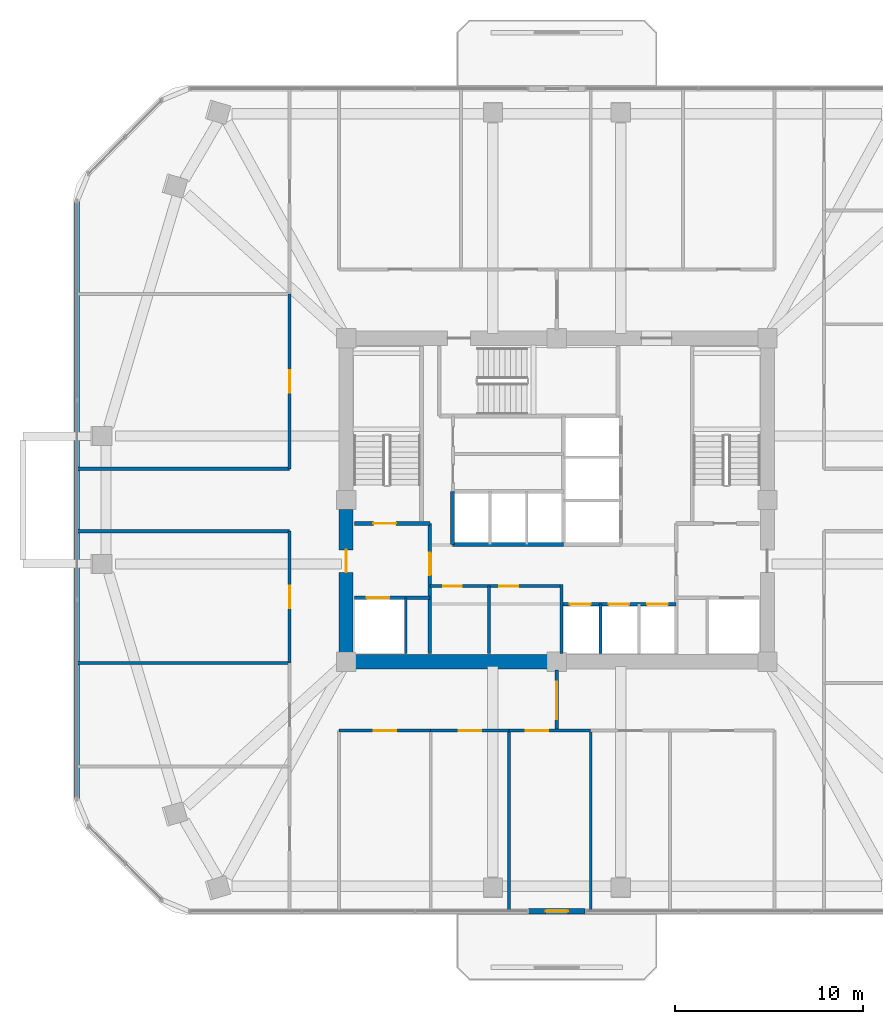
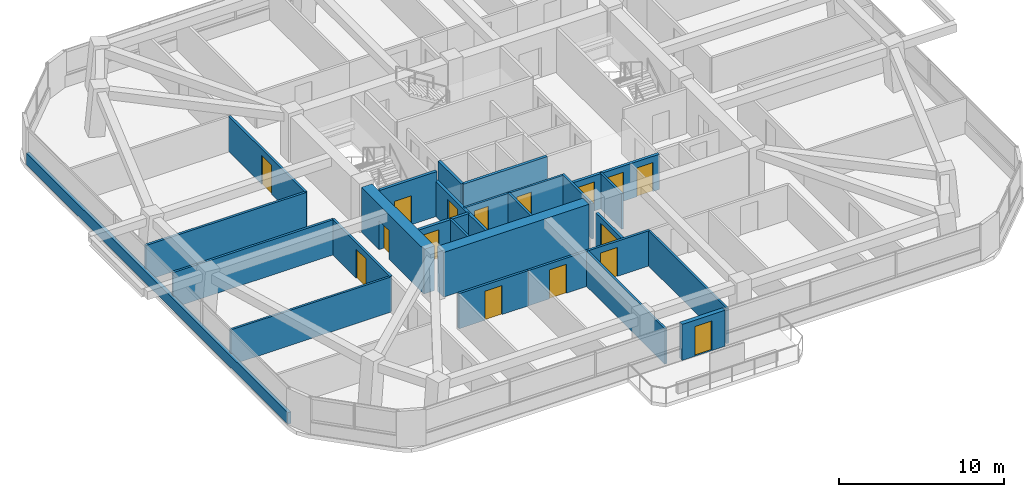
# One storey, part 8 of 13: 26 walls, 16 doors, 16 openings.
"""IFC4 building model written with IfcOpenShell, lengths in metres."""

from ifc_helpers import new_model, si_unit, derived_unit, direction, frame, frame_2d, origin, place, context, subcontext, project, spatial, rectangle, extrude, material, layer, layer_set, type_object, element, fill, save


model = new_model("IFC4")

# Units and contexts
model_context = context("Model", 3, precision=1e-05, world=origin(), true_north=direction((0.0, 1.0)))
body_context = subcontext(model_context, "Body", "Model", "MODEL_VIEW")
ifc_project = project(units=[si_unit("LENGTHUNIT", "METRE"), si_unit("AREAUNIT", "SQUARE_METRE"), si_unit("VOLUMEUNIT", "CUBIC_METRE"), si_unit("PLANEANGLEUNIT", "RADIAN"), si_unit("MASSUNIT", "GRAM", prefix="KILO"), derived_unit("THERMALTRANSMITTANCEUNIT", [(si_unit("POWERUNIT", "WATT"), 1), (si_unit("LENGTHUNIT", "METRE"), -2), (si_unit("THERMODYNAMICTEMPERATUREUNIT", "KELVIN"), -1)])], contexts=[model_context])

# Site, building, storey
site_placement = place(None, origin())
site = spatial("IfcSite", under=ifc_project, at=site_placement, CompositionType="ELEMENT")
building_placement = place(site_placement, origin())
building = spatial("IfcBuilding", under=site, at=building_placement, Name="Koralith Skygarden Medical Center", CompositionType="ELEMENT")
storey_placement = place(building_placement, frame((0.0, 0.0, 102.780029296875)))
storey = spatial("IfcBuildingStorey", under=building, at=storey_placement, Name="L26", CompositionType="ELEMENT", Elevation=102.780029296875)

# Wall, openings, doors
ifc_material_1 = material(Name="Gypsum Board Partition")
ifc_layer_1 = layer(ifc_material_1, 0.14990234375)
ifc_layer_set_1 = layer_set([ifc_layer_1], Name="Gypsum Board Partition")
wall_type_1 = type_object("IfcWallType", Name="Clinical Acoustic Partition 150", PredefinedType="PARTITIONING", material=ifc_layer_set_1)
wall_1_placement = place(storey_placement, frame((30.25, 21.320068359375, 0.0), z_axis=(0.0, 0.0, 1.0), x_axis=(1.0, 0.0, 0.0)))
wall_1 = element("IfcWall", 1, at=wall_1_placement, inside=storey, type_object=wall_type_1, Name="L26 Clinical Acoustic Partition 150 W-CORE-L26-FREED-LR-N", PredefinedType="PARTITIONING", context=body_context, shape_type="SweptSolid", body=[
    extrude(rectangle(XDim=7.0, YDim=0.14990234375, at=frame_2d((3.5, 0.0))), origin(), (0.0, 0.0, 1.0), 2.60986328125),
])
opening_1_placement = place(wall_1_placement, frame((0.699951171875, 0.0, 0.0)))
opening_1 = element("IfcOpeningElement", 2, at=opening_1_placement, cuts=wall_1, Name="Opening D-SUP", PredefinedType="OPENING", context=body_context, shape_type="SweptSolid", body=[
    extrude(rectangle(XDim=1.0, YDim=2.14990234375, at=frame_2d((0.5, 1.074951171875))), frame((0.0, 0.0849609375, 0.0), z_axis=(0.0, -1.0, 0.0), x_axis=(1.0, 0.0, 0.0)), (0.0, 0.0, 1.0), 0.169921875),
])
opening_2_placement = place(wall_1_placement, frame((3.699951171875, 0.0, 0.0)))
opening_2 = element("IfcOpeningElement", 3, at=opening_2_placement, cuts=wall_1, Name="Opening D-SUP", PredefinedType="OPENING", context=body_context, shape_type="SweptSolid", body=[
    extrude(rectangle(XDim=1.0, YDim=2.14990234375, at=frame_2d((0.5, 1.074951171875))), frame((0.0, 0.0849609375, 0.0), z_axis=(0.0, -1.0, 0.0), x_axis=(1.0, 0.0, 0.0)), (0.0, 0.0, 1.0), 0.169921875),
])
ifc_material_2 = material(Name="Aluminium 6063-T6", Category="aluminium")
door_type_1 = type_object("IfcDoorType", Name="Clinical Support Door D-SUP 1000", OperationType="NOTDEFINED", PredefinedType="DOOR", material=ifc_material_2)
door_1_placement = place(opening_1_placement, frame((1.0, 0.0, 0.0), z_axis=(0.0, 0.0, 1.0), x_axis=(-1.0, 0.0, 0.0)))
door_1 = element("IfcDoor", 4, at=door_1_placement, inside=storey, type_object=door_type_1, Name="L26 Medication Preparation Door", OperationType="SINGLE_SWING_LEFT", OverallHeight=2.14990234375, OverallWidth=1.0, PredefinedType="DOOR", context=body_context, shape_type="SweptSolid", body=[
    extrude(rectangle(XDim=1.0, YDim=2.14990234375, at=frame_2d((0.5, 1.074951171875))), frame((0.0, 0.02490234375, 0.0), z_axis=(0.0, -1.0, 0.0), x_axis=(1.0, 0.0, 0.0)), (0.0, 0.0, 1.0), 0.050048828125),
])
fill(opening_1, door_1)
door_2_placement = place(opening_2_placement, frame((1.0, 0.0, 0.0), z_axis=(0.0, 0.0, 1.0), x_axis=(-1.0, 0.0, 0.0)))
door_2 = element("IfcDoor", 5, at=door_2_placement, inside=storey, type_object=door_type_1, Name="L26 Telemetry Room Door", OperationType="SINGLE_SWING_RIGHT", OverallHeight=2.14990234375, OverallWidth=1.0, PredefinedType="DOOR", context=body_context, shape_type="SweptSolid", body=[
    extrude(rectangle(XDim=1.0, YDim=2.14990234375, at=frame_2d((0.5, 1.074951171875))), frame((0.0, 0.02490234375, 0.0), z_axis=(0.0, -1.0, 0.0), x_axis=(1.0, 0.0, 0.0)), (0.0, 0.0, 1.0), 0.050048828125),
])
fill(opening_2, door_2)

# Walls
wall_2_placement = place(storey_placement, frame((33.39990234375, 17.75, 0.0), z_axis=(0.0, 0.0, 1.0), x_axis=(0.0, 1.0, 0.0)))
element("IfcWall", 6, at=wall_2_placement, inside=storey, type_object=wall_type_1, Name="L26 Clinical Acoustic Partition 150 W-CORE-L26-FREED-LR-M", PredefinedType="PARTITIONING", context=body_context, shape_type="SweptSolid", body=[
    extrude(rectangle(XDim=3.570068359375, YDim=0.14990234375, at=frame_2d((1.78515625, 0.0))), origin(), (0.0, 0.0, 1.0), 2.60986328125),
])
for number, where, z_axis, x_axis, name in (
    (7, (34.45703125, 13.639892578125, 0.0), (0.0, 0.0, 1.0), (0.0, -1.0, 0.0), "L26 Clinical Acoustic Partition 150 W-PART-L26-S-02"),
    (8, (38.800048828125, 13.639892578125, 0.0), (0.0, 0.0, 1.0), (0.0, -1.0, 0.0), "L26 Clinical Acoustic Partition 150 W-PART-L26-S-03"),
):
    element("IfcWall", number, at=place(storey_placement, frame(where, z_axis=z_axis, x_axis=x_axis)), inside=storey, type_object=wall_type_1, Name=name, PredefinedType="PARTITIONING", context=body_context, shape_type="SweptSolid", body=[
        extrude(rectangle(XDim=9.5859375, YDim=0.14990234375, at=frame_2d((4.79296875, 0.0))), origin(), (0.0, 0.0, 1.0), 2.60986328125),
    ])
wall_3_placement = place(storey_placement, frame((22.7900390625, 17.23193359375, 0.0), z_axis=(0.0, 0.0, 1.0), x_axis=(-1.0, 0.0, 0.0)))
element("IfcWall", 9, at=wall_3_placement, inside=storey, type_object=wall_type_1, Name="L26 Clinical Acoustic Partition 150 W-PART-L26-WS-02", PredefinedType="PARTITIONING", context=body_context, shape_type="SweptSolid", body=[
    extrude(rectangle(XDim=11.281005859375, YDim=0.14990234375, at=frame_2d((5.640625, 0.0))), origin(), (0.0, 0.0, 1.0), 2.60986328125),
])
ifc_layer_2 = layer(ifc_material_1, 0.1650390625)
ifc_layer_set_2 = layer_set([ifc_layer_2], Name="Gypsum Board Partition")
wall_type_2 = type_object("IfcWallType", Name="Clinical Corridor Partition 165", PredefinedType="PARTITIONING", material=ifc_layer_set_2)
for number, where, z_axis, x_axis, name in (
    (10, (11.509033203125, 24.239990234375, 0.0), (0.0, 0.0, 1.0), (1.0, 0.0, 0.0), "L26 Clinical Corridor Partition 165 W-HCOR-L26-EWS-W"),
    (11, (11.509033203125, 27.56005859375, 0.0), (0.0, 0.0, 1.0), (1.0, 0.0, 0.0), "L26 Clinical Corridor Partition 165 W-HCOR-L26-EWN-W"),
):
    element("IfcWall", number, at=place(storey_placement, frame(where, z_axis=z_axis, x_axis=x_axis)), inside=storey, type_object=wall_type_2, Name=name, PredefinedType="PARTITIONING", context=body_context, shape_type="SweptSolid", body=[
        extrude(rectangle(XDim=11.281005859375, YDim=0.1650390625, at=frame_2d((5.640625, 0.0))), origin(), (0.0, 0.0, 1.0), 2.60986328125),
    ])

# Wall, opening, door
wall_4_placement = place(storey_placement, frame((25.429931640625, 13.639892578125, 0.0), z_axis=(0.0, 0.0, 1.0), x_axis=(1.0, 0.0, 0.0)))
wall_4 = element("IfcWall", 12, at=wall_4_placement, inside=storey, type_object=wall_type_2, Name="L26 Clinical Corridor Partition 165 W-CORR-L26-S-01", PredefinedType="PARTITIONING", context=body_context, shape_type="SweptSolid", body=[
    extrude(rectangle(XDim=4.864990234375, YDim=0.1650390625, at=frame_2d((2.4326171875, 0.0))), origin(), (0.0, 0.0, 1.0), 2.60986328125),
])
opening_3_placement = place(wall_4_placement, frame((1.8330078125, 0.0, 0.0)))
opening_3 = element("IfcOpeningElement", 13, at=opening_3_placement, cuts=wall_4, Name="Opening D-CLN", PredefinedType="OPENING", context=body_context, shape_type="SweptSolid", body=[
    extrude(rectangle(XDim=1.199951171875, YDim=2.14990234375, at=frame_2d((0.60009765625, 1.074951171875))), frame((0.0, 0.092529296875, 0.0), z_axis=(0.0, -1.0, 0.0), x_axis=(1.0, 0.0, 0.0)), (0.0, 0.0, 1.0), 0.18505859375),
])
door_type_2 = type_object("IfcDoorType", Name="Clinical Corridor Door D-CLN 1200", OperationType="NOTDEFINED", PredefinedType="DOOR", material=ifc_material_2)
door_3_placement = place(opening_3_placement, frame((1.199951171875, 0.0, 0.0), z_axis=(0.0, 0.0, 1.0), x_axis=(-1.0, 0.0, 0.0)))
door_3 = element("IfcDoor", 14, at=door_3_placement, inside=storey, type_object=door_type_2, Name="L26 Pastoral Counseling Office 05 Door", OperationType="SINGLE_SWING_RIGHT", OverallHeight=2.14990234375, OverallWidth=1.199951171875, PredefinedType="DOOR", context=body_context, shape_type="SweptSolid", body=[
    extrude(rectangle(XDim=1.199951171875, YDim=2.14990234375, at=frame_2d((0.60009765625, 1.074951171875))), frame((0.0, 0.02490234375, 0.0), z_axis=(0.0, -1.0, 0.0), x_axis=(1.0, 0.0, 0.0)), (0.0, 0.0, 1.0), 0.050048828125),
])
fill(opening_3, door_3)

wall_5_placement = place(storey_placement, frame((30.294921875, 13.639892578125, 0.0), z_axis=(0.0, 0.0, 1.0), x_axis=(1.0, 0.0, 0.0)))
wall_5 = element("IfcWall", 15, at=wall_5_placement, inside=storey, type_object=wall_type_2, Name="L26 Clinical Corridor Partition 165 W-CORR-L26-S-02", PredefinedType="PARTITIONING", context=body_context, shape_type="SweptSolid", body=[
    extrude(rectangle(XDim=4.162109375, YDim=0.1650390625, at=frame_2d((2.0810546875, 0.0))), origin(), (0.0, 0.0, 1.0), 2.60986328125),
])
opening_4_placement = place(wall_5_placement, frame((1.48095703125, 0.0, 0.0)))
opening_4 = element("IfcOpeningElement", 16, at=opening_4_placement, cuts=wall_5, Name="Opening D-CLN", PredefinedType="OPENING", context=body_context, shape_type="SweptSolid", body=[
    extrude(rectangle(XDim=1.199951171875, YDim=2.14990234375, at=frame_2d((0.60009765625, 1.074951171875))), frame((0.0, 0.092529296875, 0.0), z_axis=(0.0, -1.0, 0.0), x_axis=(1.0, 0.0, 0.0)), (0.0, 0.0, 1.0), 0.18505859375),
])
door_4_placement = place(opening_4_placement, frame((1.199951171875, 0.0, 0.0), z_axis=(0.0, 0.0, 1.0), x_axis=(-1.0, 0.0, 0.0)))
door_4 = element("IfcDoor", 17, at=door_4_placement, inside=storey, type_object=door_type_2, Name="L26 Palliative Quiet Family Lounge 06 Door", OperationType="SINGLE_SWING_LEFT", OverallHeight=2.14990234375, OverallWidth=1.199951171875, PredefinedType="DOOR", context=body_context, shape_type="SweptSolid", body=[
    extrude(rectangle(XDim=1.199951171875, YDim=2.14990234375, at=frame_2d((0.60009765625, 1.074951171875))), frame((0.0, 0.02490234375, 0.0), z_axis=(0.0, -1.0, 0.0), x_axis=(1.0, 0.0, 0.0)), (0.0, 0.0, 1.0), 0.050048828125),
])
fill(opening_4, door_4)

wall_6_placement = place(storey_placement, frame((34.45703125, 13.639892578125, 0.0), z_axis=(0.0, 0.0, 1.0), x_axis=(1.0, 0.0, 0.0)))
wall_6 = element("IfcWall", 18, at=wall_6_placement, inside=storey, type_object=wall_type_2, Name="L26 Clinical Corridor Partition 165 W-CORR-L26-S-03", PredefinedType="PARTITIONING", context=body_context, shape_type="SweptSolid", body=[
    extrude(rectangle(XDim=4.343017578125, YDim=0.1650390625, at=frame_2d((2.17138671875, 0.0))), origin(), (0.0, 0.0, 1.0), 2.60986328125),
])
opening_5_placement = place(wall_6_placement, frame((0.886962890625, 0.0, 0.0)))
opening_5 = element("IfcOpeningElement", 19, at=opening_5_placement, cuts=wall_6, Name="Opening D-CLN", PredefinedType="OPENING", context=body_context, shape_type="SweptSolid", body=[
    extrude(rectangle(XDim=1.199951171875, YDim=2.14990234375, at=frame_2d((0.60009765625, 1.074951171875))), frame((0.0, 0.092529296875, 0.0), z_axis=(0.0, -1.0, 0.0), x_axis=(1.0, 0.0, 0.0)), (0.0, 0.0, 1.0), 0.18505859375),
])
door_5_placement = place(opening_5_placement, frame((1.199951171875, 0.0, 0.0), z_axis=(0.0, 0.0, 1.0), x_axis=(-1.0, 0.0, 0.0)))
door_5 = element("IfcDoor", 20, at=door_5_placement, inside=storey, type_object=door_type_2, Name="L26 Patient and Family Sky-Garden Day Lounge 07 Door", OperationType="SINGLE_SWING_RIGHT", OverallHeight=2.14990234375, OverallWidth=1.199951171875, PredefinedType="DOOR", context=body_context, shape_type="SweptSolid", body=[
    extrude(rectangle(XDim=1.199951171875, YDim=2.14990234375, at=frame_2d((0.60009765625, 1.074951171875))), frame((0.0, 0.02490234375, 0.0), z_axis=(0.0, -1.0, 0.0), x_axis=(1.0, 0.0, 0.0)), (0.0, 0.0, 1.0), 0.050048828125),
])
fill(opening_5, door_5)

wall_7_placement = place(storey_placement, frame((22.7900390625, 17.23193359375, 0.0), z_axis=(0.0, 0.0, 1.0), x_axis=(0.0, 1.0, 0.0)))
wall_7 = element("IfcWall", 21, at=wall_7_placement, inside=storey, type_object=wall_type_2, Name="L26 Clinical Corridor Partition 165 W-CORR-L26-WS-03", PredefinedType="PARTITIONING", context=body_context, shape_type="SweptSolid", body=[
    extrude(rectangle(XDim=7.008056640625, YDim=0.1650390625, at=frame_2d((3.50390625, 0.0))), origin(), (0.0, 0.0, 1.0), 2.60986328125),
])
opening_6_placement = place(wall_7_placement, frame((2.904052734375, 0.0, 0.0)))
opening_6 = element("IfcOpeningElement", 22, at=opening_6_placement, cuts=wall_7, Name="Opening D-CLN", PredefinedType="OPENING", context=body_context, shape_type="SweptSolid", body=[
    extrude(rectangle(XDim=1.199951171875, YDim=2.14990234375, at=frame_2d((0.60009765625, 1.074951171875))), frame((0.0, 0.092529296875, 0.0), z_axis=(0.0, -1.0, 0.0), x_axis=(1.0, 0.0, 0.0)), (0.0, 0.0, 1.0), 0.18505859375),
])
door_6_placement = place(opening_6_placement, frame((1.199951171875, 0.0, 0.0), z_axis=(0.0, 0.0, 1.0), x_axis=(-1.0, 0.0, 0.0)))
door_6 = element("IfcDoor", 23, at=door_6_placement, inside=storey, type_object=door_type_2, Name="L26 Bereavement Sitting Room 12 Door", OperationType="SINGLE_SWING_LEFT", OverallHeight=2.14990234375, OverallWidth=1.199951171875, PredefinedType="DOOR", context=body_context, shape_type="SweptSolid", body=[
    extrude(rectangle(XDim=1.199951171875, YDim=2.14990234375, at=frame_2d((0.60009765625, 1.074951171875))), frame((0.0, 0.02490234375, 0.0), z_axis=(0.0, -1.0, 0.0), x_axis=(1.0, 0.0, 0.0)), (0.0, 0.0, 1.0), 0.050048828125),
])
fill(opening_6, door_6)

wall_8_placement = place(storey_placement, frame((22.7900390625, 27.56005859375, 0.0), z_axis=(0.0, 0.0, 1.0), x_axis=(0.0, 1.0, 0.0)))
wall_8 = element("IfcWall", 24, at=wall_8_placement, inside=storey, type_object=wall_type_2, Name="L26 Clinical Corridor Partition 165 W-CORR-L26-WN-01", PredefinedType="PARTITIONING", context=body_context, shape_type="SweptSolid", body=[
    extrude(rectangle(XDim=9.285888671875, YDim=0.1650390625, at=frame_2d((4.64306640625, 0.0))), origin(), (0.0, 0.0, 1.0), 2.60986328125),
])
opening_7_placement = place(wall_8_placement, frame((4.04296875, 0.0, 0.0)))
opening_7 = element("IfcOpeningElement", 25, at=opening_7_placement, cuts=wall_8, Name="Opening D-CLN", PredefinedType="OPENING", context=body_context, shape_type="SweptSolid", body=[
    extrude(rectangle(XDim=1.199951171875, YDim=2.14990234375, at=frame_2d((0.60009765625, 1.074951171875))), frame((0.0, 0.092529296875, 0.0), z_axis=(0.0, -1.0, 0.0), x_axis=(1.0, 0.0, 0.0)), (0.0, 0.0, 1.0), 0.18505859375),
])
door_7_placement = place(opening_7_placement, frame((1.199951171875, 0.0, 0.0), z_axis=(0.0, 0.0, 1.0), x_axis=(-1.0, 0.0, 0.0)))
door_7 = element("IfcDoor", 26, at=door_7_placement, inside=storey, type_object=door_type_2, Name="L26 Family Nourishment Pantry 13 Door", OperationType="SINGLE_SWING_RIGHT", OverallHeight=2.14990234375, OverallWidth=1.199951171875, PredefinedType="DOOR", context=body_context, shape_type="SweptSolid", body=[
    extrude(rectangle(XDim=1.199951171875, YDim=2.14990234375, at=frame_2d((0.60009765625, 1.074951171875))), frame((0.0, 0.02490234375, 0.0), z_axis=(0.0, -1.0, 0.0), x_axis=(1.0, 0.0, 0.0)), (0.0, 0.0, 1.0), 0.050048828125),
])
fill(opening_7, door_7)

ifc_layer_3 = layer(ifc_material_1, 0.199951171875)
ifc_layer_set_3 = layer_set([ifc_layer_3], Name="Gypsum Board Partition")
wall_type_3 = type_object("IfcWallType", Name="Fire Shaft Wall 200", PredefinedType="SOLIDWALL", material=ifc_layer_set_3)
wall_9_placement = place(storey_placement, frame((26.25, 20.699951171875, 0.0), z_axis=(0.0, 0.0, 1.0), x_axis=(1.0, 0.0, 0.0)))
wall_9 = element("IfcWall", 27, at=wall_9_placement, inside=storey, type_object=wall_type_3, Name="L26 Fire Shaft Wall 200 W-CORE-L26-FF1-N", PredefinedType="SOLIDWALL", context=body_context, shape_type="SweptSolid", body=[
    extrude(rectangle(XDim=4.0, YDim=0.199951171875, at=frame_2d((2.0, 0.0))), origin(), (0.0, 0.0, 1.0), 2.60986328125),
])
opening_8_placement = place(wall_9_placement, frame((0.64990234375, 0.0, 0.0)))
opening_8 = element("IfcOpeningElement", 28, at=opening_8_placement, cuts=wall_9, Name="Opening LD-FF", PredefinedType="OPENING", context=body_context, shape_type="SweptSolid", body=[
    extrude(rectangle(XDim=1.199951171875, YDim=2.14990234375, at=frame_2d((0.60009765625, 1.074951171875))), frame((0.0, 0.10986328125, 0.0), z_axis=(0.0, -1.0, 0.0), x_axis=(1.0, 0.0, 0.0)), (0.0, 0.0, 1.0), 0.219970703125),
])
ifc_material_3 = material(Name="Steel ASTM A500 Grade C", Category="steel")
door_type_3 = type_object("IfcDoorType", Name="Fire Lift Sliding Landing Door LD-FF 1200", OperationType="NOTDEFINED", PredefinedType="DOOR", material=ifc_material_3)
door_8_placement = place(opening_8_placement, origin())
door_8 = element("IfcDoor", 29, at=door_8_placement, inside=storey, type_object=door_type_3, Name="L26 Fire Service Elevator FF1 Landing Door", OperationType="SLIDING_TO_LEFT", OverallHeight=2.14990234375, OverallWidth=1.199951171875, PredefinedType="DOOR", context=body_context, shape_type="SweptSolid", body=[
    extrude(rectangle(XDim=1.199951171875, YDim=2.14990234375, at=frame_2d((0.60009765625, 1.074951171875))), frame((0.0, 0.02490234375, 0.0), z_axis=(0.0, -1.0, 0.0), x_axis=(1.0, 0.0, 0.0)), (0.0, 0.0, 1.0), 0.050048828125),
])
fill(opening_8, door_8)

wall_10_placement = place(storey_placement, frame((30.25, 17.75, 0.0), z_axis=(0.0, 0.0, 1.0), x_axis=(0.0, 1.0, 0.0)))
wall_10 = element("IfcWall", 30, at=wall_10_placement, inside=storey, type_object=wall_type_3, Name="L26 Fire Shaft Wall 200 W-CORE-L26-FSAEW-E", PredefinedType="SOLIDWALL", context=body_context, shape_type="SweptSolid", body=[
    extrude(rectangle(XDim=6.89990234375, YDim=0.199951171875, at=frame_2d((3.449951171875, 0.0))), origin(), (0.0, 0.0, 1.0), 2.60986328125),
])
opening_9_placement = place(wall_10_placement, frame((4.14990234375, 0.0, 0.0)))
opening_9 = element("IfcOpeningElement", 31, at=opening_9_placement, cuts=wall_10, Name="Opening D-ST60", PredefinedType="OPENING", context=body_context, shape_type="SweptSolid", body=[
    extrude(rectangle(XDim=1.199951171875, YDim=2.14990234375, at=frame_2d((0.60009765625, 1.074951171875))), frame((0.0, 0.10986328125, 0.0), z_axis=(0.0, -1.0, 0.0), x_axis=(1.0, 0.0, 0.0)), (0.0, 0.0, 1.0), 0.219970703125),
])
door_type_4 = type_object("IfcDoorType", Name="Smokeproof Stair Fire Door FD60S 1200", OperationType="NOTDEFINED", PredefinedType="DOOR", material=ifc_material_3)
door_9_placement = place(opening_9_placement, origin())
door_9 = element("IfcDoor", 32, at=door_9_placement, inside=storey, type_object=door_type_4, Name="L26 West Firefighting Lobby Inner Fire Door", OperationType="SINGLE_SWING_LEFT", OverallHeight=2.14990234375, OverallWidth=1.199951171875, PredefinedType="DOOR", context=body_context, shape_type="SweptSolid", body=[
    extrude(rectangle(XDim=1.199951171875, YDim=2.14990234375, at=frame_2d((0.60009765625, 1.074951171875))), frame((0.0, 0.02490234375, 0.0), z_axis=(0.0, -1.0, 0.0), x_axis=(1.0, 0.0, 0.0)), (0.0, 0.0, 1.0), 0.050048828125),
])
fill(opening_9, door_9)

# Wall, openings, doors
wall_11_placement = place(storey_placement, frame((37.25, 20.360107421875, 0.0), z_axis=(0.0, 0.0, 1.0), x_axis=(1.0, 0.0, 0.0)))
wall_11 = element("IfcWall", 33, at=wall_11_placement, inside=storey, type_object=wall_type_3, Name="L26 Fire Shaft Wall 200 W-CORE-L26-PM-N", PredefinedType="SOLIDWALL", context=body_context, shape_type="SweptSolid", body=[
    extrude(rectangle(XDim=6.10009765625, YDim=0.199951171875, at=frame_2d((3.050048828125, 0.0))), origin(), (0.0, 0.0, 1.0), 2.60986328125),
])
opening_10_placement = place(wall_11_placement, frame((0.449951171875, 0.0, 0.0)))
opening_10 = element("IfcOpeningElement", 34, at=opening_10_placement, cuts=wall_11, Name="Opening LD-P", PredefinedType="OPENING", context=body_context, shape_type="SweptSolid", body=[
    extrude(rectangle(XDim=1.10009765625, YDim=2.14990234375, at=frame_2d((0.550048828125, 1.074951171875))), frame((0.0, 0.10986328125, 0.0), z_axis=(0.0, -1.0, 0.0), x_axis=(1.0, 0.0, 0.0)), (0.0, 0.0, 1.0), 0.219970703125),
])
opening_11_placement = place(wall_11_placement, frame((2.5, 0.0, 0.0)))
opening_11 = element("IfcOpeningElement", 35, at=opening_11_placement, cuts=wall_11, Name="Opening LD-P", PredefinedType="OPENING", context=body_context, shape_type="SweptSolid", body=[
    extrude(rectangle(XDim=1.10009765625, YDim=2.14990234375, at=frame_2d((0.550048828125, 1.074951171875))), frame((0.0, 0.10986328125, 0.0), z_axis=(0.0, -1.0, 0.0), x_axis=(1.0, 0.0, 0.0)), (0.0, 0.0, 1.0), 0.219970703125),
])
opening_12_placement = place(wall_11_placement, frame((4.550048828125, 0.0, 0.0)))
opening_12 = element("IfcOpeningElement", 36, at=opening_12_placement, cuts=wall_11, Name="Opening LD-P", PredefinedType="OPENING", context=body_context, shape_type="SweptSolid", body=[
    extrude(rectangle(XDim=1.10009765625, YDim=2.14990234375, at=frame_2d((0.550048828125, 1.074951171875))), frame((0.0, 0.10986328125, 0.0), z_axis=(0.0, -1.0, 0.0), x_axis=(1.0, 0.0, 0.0)), (0.0, 0.0, 1.0), 0.219970703125),
])
door_type_5 = type_object("IfcDoorType", Name="Passenger Lift Sliding Landing Door LD-P 1100", OperationType="NOTDEFINED", PredefinedType="DOOR", material=ifc_material_3)
door_10_placement = place(opening_10_placement, origin())
door_10 = element("IfcDoor", 37, at=door_10_placement, inside=storey, type_object=door_type_5, Name="L26 Passenger Elevator PM1 Landing Door", OperationType="SLIDING_TO_LEFT", OverallHeight=2.14990234375, OverallWidth=1.10009765625, PredefinedType="DOOR", context=body_context, shape_type="SweptSolid", body=[
    extrude(rectangle(XDim=1.10009765625, YDim=2.14990234375, at=frame_2d((0.550048828125, 1.074951171875))), frame((0.0, 0.02490234375, 0.0), z_axis=(0.0, -1.0, 0.0), x_axis=(1.0, 0.0, 0.0)), (0.0, 0.0, 1.0), 0.050048828125),
])
fill(opening_10, door_10)
door_11_placement = place(opening_11_placement, origin())
door_11 = element("IfcDoor", 38, at=door_11_placement, inside=storey, type_object=door_type_5, Name="L26 Passenger Elevator PM2 Landing Door", OperationType="SLIDING_TO_LEFT", OverallHeight=2.14990234375, OverallWidth=1.10009765625, PredefinedType="DOOR", context=body_context, shape_type="SweptSolid", body=[
    extrude(rectangle(XDim=1.10009765625, YDim=2.14990234375, at=frame_2d((0.550048828125, 1.074951171875))), frame((0.0, 0.02490234375, 0.0), z_axis=(0.0, -1.0, 0.0), x_axis=(1.0, 0.0, 0.0)), (0.0, 0.0, 1.0), 0.050048828125),
])
fill(opening_11, door_11)
door_12_placement = place(opening_12_placement, origin())
door_12 = element("IfcDoor", 39, at=door_12_placement, inside=storey, type_object=door_type_5, Name="L26 Passenger Elevator PM3 Landing Door", OperationType="SLIDING_TO_LEFT", OverallHeight=2.14990234375, OverallWidth=1.10009765625, PredefinedType="DOOR", context=body_context, shape_type="SweptSolid", body=[
    extrude(rectangle(XDim=1.10009765625, YDim=2.14990234375, at=frame_2d((0.550048828125, 1.074951171875))), frame((0.0, 0.02490234375, 0.0), z_axis=(0.0, -1.0, 0.0), x_axis=(1.0, 0.0, 0.0)), (0.0, 0.0, 1.0), 0.050048828125),
])
fill(opening_12, door_12)

# Walls
wall_12_placement = place(storey_placement, frame((31.449951171875, 23.5400390625, 0.0), z_axis=(0.0, 0.0, 1.0), x_axis=(1.0, 0.0, 0.0)))
element("IfcWall", 40, at=wall_12_placement, inside=storey, type_object=wall_type_3, Name="L26 Fire Shaft Wall 200 W-CORE-L26-PH-S", PredefinedType="SOLIDWALL", context=body_context, shape_type="SweptSolid", body=[
    extrude(rectangle(XDim=5.900146484375, YDim=0.199951171875, at=frame_2d((2.9501953125, 0.0))), origin(), (0.0, 0.0, 1.0), 2.60986328125),
])
wall_13_placement = place(storey_placement, frame((31.449951171875, 23.5400390625, 0.0), z_axis=(0.0, 0.0, 1.0), x_axis=(0.0, 1.0, 0.0)))
element("IfcWall", 41, at=wall_13_placement, inside=storey, type_object=wall_type_3, Name="L26 Fire Shaft Wall 200 W-CORE-L26-PH-W", PredefinedType="SOLIDWALL", context=body_context, shape_type="SweptSolid", body=[
    extrude(rectangle(XDim=2.81005859375, YDim=0.199951171875, at=frame_2d((1.405029296875, 0.0))), origin(), (0.0, 0.0, 1.0), 2.60986328125),
])

# Wall, opening, door
ifc_layer_4 = layer(ifc_material_1, 0.179931640625)
ifc_layer_set_4 = layer_set([ifc_layer_4], Name="Gypsum Board Partition")
wall_type_4 = type_object("IfcWallType", Name="Group I-2 Smoke Barrier Wall 180", PredefinedType="PARTITIONING", material=ifc_layer_set_4)
wall_14_placement = place(storey_placement, frame((37.0, 13.639892578125, 0.0), z_axis=(0.0, 0.0, 1.0), x_axis=(0.0, 1.0, 0.0)))
wall_14 = element("IfcWall", 42, at=wall_14_placement, inside=storey, type_object=wall_type_4, Name="L26 Group I-2 Smoke Barrier Wall 180 W-SMK-L26-S", PredefinedType="PARTITIONING", context=body_context, shape_type="SweptSolid", body=[
    extrude(rectangle(XDim=3.210205078125, YDim=0.179931640625, at=frame_2d((1.60498046875, 0.0))), origin(), (0.0, 0.0, 1.0), 2.60986328125),
])
opening_13_placement = place(wall_14_placement, frame((0.60498046875, 0.0, 0.0)))
opening_13 = element("IfcOpeningElement", 43, at=opening_13_placement, cuts=wall_14, Name="Opening D-SMK", PredefinedType="OPENING", context=body_context, shape_type="SweptSolid", body=[
    extrude(rectangle(XDim=2.0, YDim=2.199951171875, at=frame_2d((1.0, 1.10009765625))), frame((0.0, 0.099853515625, 0.0), z_axis=(0.0, -1.0, 0.0), x_axis=(1.0, 0.0, 0.0)), (0.0, 0.0, 1.0), 0.199951171875),
])
door_type_6 = type_object("IfcDoorType", Name="Cross-Corridor Double Smoke Door FD60S 2000", OperationType="NOTDEFINED", PredefinedType="DOOR", material=ifc_material_3)
door_13_placement = place(opening_13_placement, frame((2.0, 0.0, 0.0), z_axis=(0.0, 0.0, 1.0), x_axis=(-1.0, 0.0, 0.0)))
door_13 = element("IfcDoor", 44, at=door_13_placement, inside=storey, type_object=door_type_6, Name="L26 S Smoke Compartment Cross-Corridor Door", OperationType="DOUBLE_DOOR_SINGLE_SWING", OverallHeight=2.199951171875, OverallWidth=2.0, PredefinedType="DOOR", context=body_context, shape_type="SweptSolid", body=[
    extrude(rectangle(XDim=2.0, YDim=2.199951171875, at=frame_2d((1.0, 1.10009765625))), frame((0.0, 0.02490234375, 0.0), z_axis=(0.0, -1.0, 0.0), x_axis=(1.0, 0.0, 0.0)), (0.0, 0.0, 1.0), 0.050048828125),
])
fill(opening_13, door_13)

# Walls
ifc_material_4 = material(Name="Warm Oolitic Limestone Cladding", Category="masonry")
ifc_layer_5 = layer(ifc_material_4, 0.239990234375)
ifc_layer_set_5 = layer_set([ifc_layer_5], Name="Warm Oolitic Limestone Cladding")
wall_type_5 = type_object("IfcWallType", Name="Limestone Spandrel Sill Backup Wall 240", PredefinedType="SOLIDWALL", material=ifc_layer_set_5)
wall_15_placement = place(storey_placement, frame((11.489013671875, 41.791015625, 0.0), z_axis=(0.0, 0.0, 1.0), x_axis=(0.0, -1.0, 0.0)))
element("IfcWall", 45, at=wall_15_placement, inside=storey, type_object=wall_type_5, Name="L26 Sill Spandrel W", PredefinedType="SOLIDWALL", context=body_context, shape_type="SweptSolid", body=[
    extrude(rectangle(XDim=31.781982421875, YDim=0.239990234375, at=frame_2d((15.89111328125, 0.0))), origin(), (0.0, 0.0, 1.0), 0.849853515625),
])
ifc_material_5 = material(Name="Concrete C70/85", Category="concrete")
ifc_layer_6 = layer(ifc_material_5, 0.75)
ifc_layer_set_6 = layer_set([ifc_layer_6], Name="Concrete C70/85")
wall_type_6 = type_object("IfcWallType", Name="Mid Core Shear Wall 750", PredefinedType="SHEAR", material=ifc_layer_set_6)
wall_16_placement = place(storey_placement, frame((26.304931640625, 17.300048828125, 0.0), z_axis=(0.0, 0.0, 1.0), x_axis=(1.0, 0.0, 0.0)))
element("IfcWall", 46, at=wall_16_placement, inside=storey, type_object=wall_type_6, Name="L26 Core Shear Wall Segment 1", PredefinedType="SHEAR", context=body_context, shape_type="SweptSolid", body=[
    extrude(rectangle(XDim=10.190185546875, YDim=0.75, at=frame_2d((5.09521484375, 0.0))), origin(), (0.0, 0.0, 1.0), 3.320068359375),
])

# Wall, opening, door
wall_17_placement = place(storey_placement, frame((25.800048828125, 25.39501953125, 0.0), z_axis=(0.0, 0.0, 1.0), x_axis=(0.0, -1.0, 0.0)))
wall_17 = element("IfcWall", 47, at=wall_17_placement, inside=storey, type_object=wall_type_6, Name="L26 Core Shear Wall Segment 8", PredefinedType="SHEAR", context=body_context, shape_type="SweptSolid", body=[
    extrude(rectangle(XDim=7.590087890625, YDim=0.75, at=frame_2d((3.794921875, 0.0))), origin(), (0.0, 0.0, 1.0), 3.320068359375),
])
opening_14_placement = place(wall_17_placement, frame((2.14501953125, 0.0, 0.0)))
opening_14 = element("IfcOpeningElement", 48, at=opening_14_placement, cuts=wall_17, Name="Opening D-ST60", PredefinedType="OPENING", context=body_context, shape_type="SweptSolid", body=[
    extrude(rectangle(XDim=1.199951171875, YDim=2.14990234375, at=frame_2d((0.60009765625, 1.074951171875))), frame((0.0, 0.385009765625, 0.0), z_axis=(0.0, -1.0, 0.0), x_axis=(1.0, 0.0, 0.0)), (0.0, 0.0, 1.0), 0.77001953125),
])
door_14_placement = place(opening_14_placement, frame((1.199951171875, 0.0, 0.0), z_axis=(0.0, 0.0, 1.0), x_axis=(-1.0, 0.0, 0.0)))
door_14 = element("IfcDoor", 49, at=door_14_placement, inside=storey, type_object=door_type_4, Name="L26 West Corridor to Firefighting Lobby Door", OperationType="SINGLE_SWING_LEFT", OverallHeight=2.14990234375, OverallWidth=1.199951171875, PredefinedType="DOOR", context=body_context, shape_type="SweptSolid", body=[
    extrude(rectangle(XDim=1.199951171875, YDim=2.14990234375, at=frame_2d((0.60009765625, 1.074951171875))), frame((0.0, 0.02490234375, 0.0), z_axis=(0.0, -1.0, 0.0), x_axis=(1.0, 0.0, 0.0)), (0.0, 0.0, 1.0), 0.050048828125),
])
fill(opening_14, door_14)

ifc_layer_7 = layer(ifc_material_4, 0.300048828125)
ifc_layer_set_7 = layer_set([ifc_layer_7], Name="Warm Oolitic Limestone Cladding")
wall_type_7 = type_object("IfcWallType", Name="Oolitic Limestone Insulated Facade Wall 300", PredefinedType="SOLIDWALL", material=ifc_layer_set_7)
wall_18_placement = place(storey_placement, frame((35.4990234375, 4.033935546875, 0.0), z_axis=(0.0, 0.0, 1.0), x_axis=(1.0, 0.0, 0.0)))
wall_18 = element("IfcWall", 50, at=wall_18_placement, inside=storey, type_object=wall_type_7, Name="L26 Terrace Portal Wall S", PredefinedType="SOLIDWALL", context=body_context, shape_type="SweptSolid", body=[
    extrude(rectangle(XDim=3.0, YDim=0.300048828125, at=frame_2d((1.5, 0.0))), origin(), (0.0, 0.0, 1.0), 2.669921875),
])
opening_15_placement = place(wall_18_placement, frame((0.89990234375, 0.0, 0.0)))
opening_15 = element("IfcOpeningElement", 51, at=opening_15_placement, cuts=wall_18, Name="Opening D-BAL", PredefinedType="OPENING", context=body_context, shape_type="SweptSolid", body=[
    extrude(rectangle(XDim=1.199951171875, YDim=2.199951171875, at=frame_2d((0.60009765625, 1.10009765625))), frame((0.0, 0.159912109375, 0.0), z_axis=(0.0, -1.0, 0.0), x_axis=(1.0, 0.0, 0.0)), (0.0, 0.0, 1.0), 0.320068359375),
])
door_type_7 = type_object("IfcDoorType", Name="Planted Balcony Glazed Terrace Door D-BAL 1200", OperationType="NOTDEFINED", PredefinedType="DOOR", material=ifc_material_2)
door_15_placement = place(opening_15_placement, origin())
door_15 = element("IfcDoor", 52, at=door_15_placement, inside=storey, type_object=door_type_7, Name="L26 S Outdoor Terrace Access Door", OperationType="SINGLE_SWING_LEFT", OverallHeight=2.199951171875, OverallWidth=1.199951171875, PredefinedType="DOOR", context=body_context, shape_type="SweptSolid", body=[
    extrude(rectangle(XDim=1.199951171875, YDim=2.199951171875, at=frame_2d((0.60009765625, 1.10009765625))), frame((0.0, 0.02490234375, 0.0), z_axis=(0.0, -1.0, 0.0), x_axis=(1.0, 0.0, 0.0)), (0.0, 0.0, 1.0), 0.050048828125),
])
fill(opening_15, door_15)

# Walls
ifc_layer_8 = layer(ifc_material_1, 0.14990234375)
ifc_layer_set_8 = layer_set([ifc_layer_8], Name="Gypsum Board Partition")
wall_type_8 = type_object("IfcWallType", Name="Shaft Partition Wall 150", PredefinedType="PARTITIONING", material=ifc_layer_set_8)
wall_19_placement = place(storey_placement, frame((28.969970703125, 17.75, 0.0), z_axis=(0.0, 0.0, 1.0), x_axis=(0.0, 1.0, 0.0)))
element("IfcWall", 53, at=wall_19_placement, inside=storey, type_object=wall_type_8, Name="L26 Shaft Partition Wall 150 W-CORE-L26-RSRW-DIV", PredefinedType="PARTITIONING", context=body_context, shape_type="SweptSolid", body=[
    extrude(rectangle(XDim=2.949951171875, YDim=0.14990234375, at=frame_2d((1.47509765625, 0.0))), origin(), (0.0, 0.0, 1.0), 2.60986328125),
])
wall_20_placement = place(storey_placement, frame((39.320068359375, 17.75, 0.0), z_axis=(0.0, 0.0, 1.0), x_axis=(0.0, 1.0, 0.0)))
element("IfcWall", 54, at=wall_20_placement, inside=storey, type_object=wall_type_8, Name="L26 Shaft Partition Wall 150 W-CORE-L26-PM-D1", PredefinedType="PARTITIONING", context=body_context, shape_type="SweptSolid", body=[
    extrude(rectangle(XDim=2.610107421875, YDim=0.14990234375, at=frame_2d((1.30517578125, 0.0))), origin(), (0.0, 0.0, 1.0), 2.60986328125),
])
wall_21_placement = place(storey_placement, frame((37.25, 17.75, 0.0), z_axis=(0.0, 0.0, 1.0), x_axis=(0.0, 1.0, 0.0)))
element("IfcWall", 55, at=wall_21_placement, inside=storey, type_object=wall_type_8, Name="L26 Shaft Partition Wall 150 W-CORE-L26-PL-PM-SEP", PredefinedType="PARTITIONING", context=body_context, shape_type="SweptSolid", body=[
    extrude(rectangle(XDim=3.64990234375, YDim=0.14990234375, at=frame_2d((1.824951171875, 0.0))), origin(), (0.0, 0.0, 1.0), 2.60986328125),
])

# Wall, opening, door
ifc_material_6 = material(Name="Concrete C45/55", Category="concrete")
ifc_layer_9 = layer(ifc_material_6, 0.199951171875)
ifc_layer_set_9 = layer_set([ifc_layer_9], Name="Concrete C45/55")
wall_type_9 = type_object("IfcWallType", Name="Structural Stair Shaft Wall 200", PredefinedType="SHEAR", material=ifc_layer_set_9)
wall_22_placement = place(storey_placement, frame((26.25, 24.64990234375, 0.0), z_axis=(0.0, 0.0, 1.0), x_axis=(1.0, 0.0, 0.0)))
wall_22 = element("IfcWall", 56, at=wall_22_placement, inside=storey, type_object=wall_type_9, Name="L26 Structural Stair Shaft Wall 200 W-CORE-L26-ST1-S", PredefinedType="SHEAR", context=body_context, shape_type="SweptSolid", body=[
    extrude(rectangle(XDim=4.0, YDim=0.199951171875, at=frame_2d((2.0, 0.0))), origin(), (0.0, 0.0, 1.0), 3.320068359375),
])
opening_16_placement = place(wall_22_placement, frame((1.0, 0.0, 0.0)))
opening_16 = element("IfcOpeningElement", 57, at=opening_16_placement, cuts=wall_22, Name="Opening D-ST60", PredefinedType="OPENING", context=body_context, shape_type="SweptSolid", body=[
    extrude(rectangle(XDim=1.199951171875, YDim=2.14990234375, at=frame_2d((0.60009765625, 1.074951171875))), frame((0.0, 0.10986328125, 0.0), z_axis=(0.0, -1.0, 0.0), x_axis=(1.0, 0.0, 0.0)), (0.0, 0.0, 1.0), 0.219970703125),
])
door_16_placement = place(opening_16_placement, origin())
door_16 = element("IfcDoor", 58, at=door_16_placement, inside=storey, type_object=door_type_4, Name="L26 Exit Stair ST1 Fire Door", OperationType="SINGLE_SWING_LEFT", OverallHeight=2.14990234375, OverallWidth=1.199951171875, PredefinedType="DOOR", context=body_context, shape_type="SweptSolid", body=[
    extrude(rectangle(XDim=1.199951171875, YDim=2.14990234375, at=frame_2d((0.60009765625, 1.074951171875))), frame((0.0, 0.02490234375, 0.0), z_axis=(0.0, -1.0, 0.0), x_axis=(1.0, 0.0, 0.0)), (0.0, 0.0, 1.0), 0.050048828125),
])
fill(opening_16, door_16)

save(model, "model.ifc")
